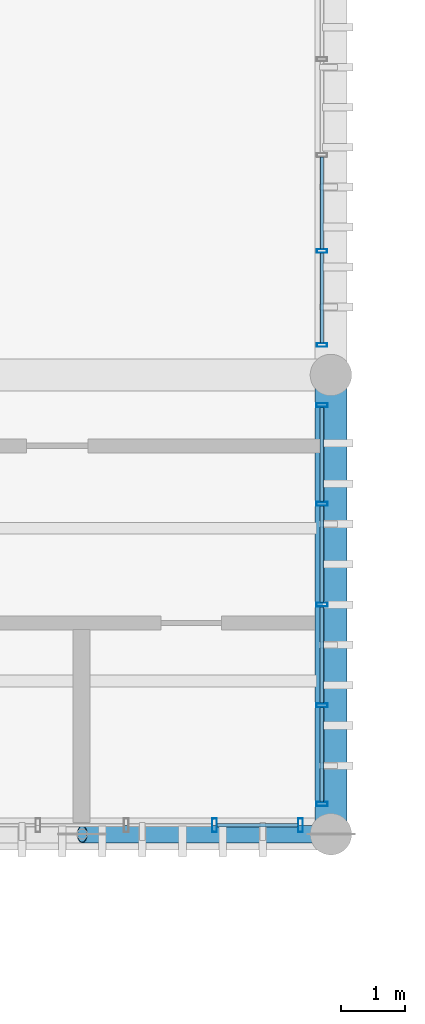
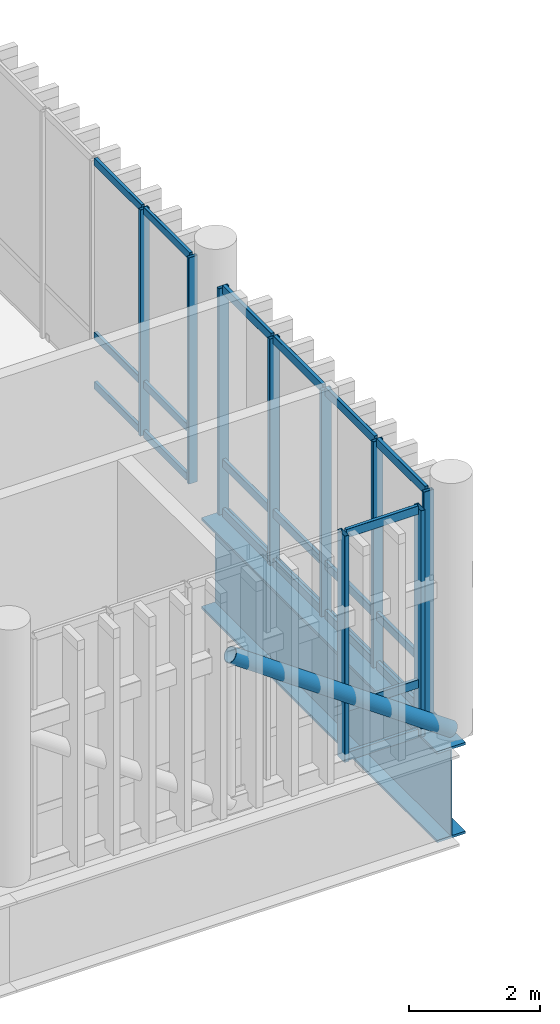
# One storey, part 42 of 86: 31 members, 1 beam, 3 elements without a shape of their own.
"""IFC4 building model written with IfcOpenShell, lengths in metres."""

from ifc_helpers import new_model, si_unit, direction, frame, origin_with_axes, origin_2d_with_axis, place, context, subcontext, project, spatial, hollow_rectangle, hollow_circle, i_section, extrude, material, material_profile, profile_set, type_object, element, aggregate, save


model = new_model("IFC4")

# Units and contexts
model_context = context("Model", 3, precision=1e-05, world=origin_with_axes(), true_north=direction((0.0, 1.0)))
body_context = subcontext(model_context, "Body", "Model", "MODEL_VIEW")
ifc_project = project(units=[si_unit("LENGTHUNIT", "METRE"), si_unit("AREAUNIT", "SQUARE_METRE"), si_unit("VOLUMEUNIT", "CUBIC_METRE"), si_unit("PLANEANGLEUNIT", "RADIAN"), si_unit("MASSUNIT", "GRAM", prefix="KILO"), si_unit("THERMODYNAMICTEMPERATUREUNIT", "KELVIN")], contexts=[model_context])

# Site, building, storey
site_placement = place(None, origin_with_axes())
site = spatial("IfcSite", under=ifc_project, at=site_placement, CompositionType="ELEMENT")
building_placement = place(site_placement, origin_with_axes())
building = spatial("IfcBuilding", under=site, at=building_placement, Name="Montbau Bow Law Courts", CompositionType="ELEMENT")
storey_placement = place(building_placement, frame((0.0, 0.0, 29.7), z_axis=(0.0, 0.0, 1.0), x_axis=(1.0, 0.0, 0.0)))
storey = spatial("IfcBuildingStorey", under=building, at=storey_placement, Name="L06", CompositionType="ELEMENT", Elevation=29.7)

# Beam
ifc_material_1 = material(Name="Steel CSA G40.21 Grade 350WT (350 MPa)", Category="steel")
ifc_material_profile_1 = material_profile(ifc_material_1, i_section(OverallWidth=0.5, OverallDepth=1.7, WebThickness=0.02, FlangeThickness=0.045, at=origin_2d_with_axis()), Name="WWF1700X480", Category="Main", Priority=0)
ifc_profile_set_1 = profile_set([ifc_material_profile_1], Name="Steel CSA G40.21 Grade 350WT (350 MPa)")
beam_type = type_object("IfcBeamType", Name="B-TRG-02", PredefinedType="USERDEFINED", material=ifc_profile_set_1)
beam_placement = place(None, frame((105.0, 39.0, 28.51), z_axis=(0.0, 1.0, 0.0), x_axis=(-1.0, 0.0, 0.0)))
element("IfcBeam", 1, at=beam_placement, inside=storey, type_object=beam_type, Name="TRG-L06-S0067:bm2_0070", ObjectType="GIRDER", PredefinedType="USERDEFINED", context=body_context, shape_type="SweptSolid", body=[
    extrude(i_section(OverallWidth=0.5, OverallDepth=1.7, WebThickness=0.02, FlangeThickness=0.045, at=origin_2d_with_axis()), origin_with_axes(), (0.0, 0.0, 1.0), 7.2),
])

# Member
ifc_material_2 = material(Name="Steel CSA G40.21 Grade 350W (350 MPa)", Category="steel")
ifc_material_profile_2 = material_profile(ifc_material_2, hollow_circle(Radius=0.1365, WallThickness=0.0127, at=origin_2d_with_axis()), Name="HSS273X13", Category="Main", Priority=0)
ifc_profile_set_2 = profile_set([ifc_material_profile_2], Name="Steel CSA G40.21 Grade 350W (350 MPa)")
member_type_1 = type_object("IfcMemberType", Name="M-BRC-03", PredefinedType="BRACE", material=ifc_profile_set_2)
member_1_placement = place(None, frame((101.1, 39.0, 32.45), z_axis=(0.817258134, 0.0, -0.576271761), x_axis=(0.0, 1.0, 0.0)))
element("IfcMember", 2, at=member_1_placement, inside=storey, type_object=member_type_1, Name="Diagonal brace BRC-L06-014", PredefinedType="BRACE", context=body_context, shape_type="SweptSolid", body=[
    extrude(hollow_circle(Radius=0.1365, WallThickness=0.0127, at=origin_2d_with_axis()), origin_with_axes(), (0.0, 0.0, 1.0), 4.772054),
])

# Curtain wall, members
ifc_material_3 = material(Name="Thermally Broken Extruded Aluminium AA 6063-T6", Category="aluminium")
curtain_wall_type = type_object("IfcCurtainWallType", Name="CW-CRM-02", PredefinedType="NOTDEFINED", material=ifc_material_3)
curtain_wall_1_placement = place(None, frame((97.64, 39.14, 29.7), z_axis=(0.0, 0.0, 1.0), x_axis=(1.0, 0.0, 0.0)))
curtain_wall_1 = element("IfcCurtainWall", 3, at=curtain_wall_1_placement, inside=storey, type_object=curtain_wall_type, Name="CW-L06-228:cw_0228", PredefinedType="NOTDEFINED")
ifc_material_profile_3 = material_profile(ifc_material_3, hollow_rectangle(XDim=0.075, YDim=0.22, WallThickness=0.005, InnerFilletRadius=0.01, OuterFilletRadius=0.005, at=origin_2d_with_axis()), Name="CWM-220X75", Category="Main", Priority=0)
ifc_profile_set_3 = profile_set([ifc_material_profile_3], Name="Thermally Broken Extruded Aluminium AA 6063-T6")
member_type_2 = type_object("IfcMemberType", Name="M-MUL-01", PredefinedType="MULLION", material=ifc_profile_set_3)
member_2_placement = place(None, frame((103.176, 39.14, 29.7), z_axis=(0.0, 0.0, 1.0), x_axis=(1.0, 0.0, 0.0)))
member_2 = element("IfcMember", 4, at=member_2_placement, type_object=member_type_2, Name="CW-L06-228-M05:cw_0228_M05", PredefinedType="MULLION", context=body_context, shape_type="SweptSolid", body=[
    extrude(hollow_rectangle(XDim=0.075, YDim=0.22, WallThickness=0.005, InnerFilletRadius=0.01, OuterFilletRadius=0.005, at=origin_2d_with_axis()), origin_with_axes(), (0.0, 0.0, 1.0), 4.22),
])
member_3_placement = place(None, frame((104.523, 39.14, 29.7), z_axis=(0.0, 0.0, 1.0), x_axis=(1.0, 0.0, 0.0)))
member_3 = element("IfcMember", 5, at=member_3_placement, type_object=member_type_2, Name="CW-L06-228-M06:cw_0228_M06", PredefinedType="MULLION", context=body_context, shape_type="SweptSolid", body=[
    extrude(hollow_rectangle(XDim=0.075, YDim=0.22, WallThickness=0.005, InnerFilletRadius=0.01, OuterFilletRadius=0.005, at=origin_2d_with_axis()), origin_with_axes(), (0.0, 0.0, 1.0), 4.22),
])

curtain_wall_2_placement = place(None, frame((104.86, 39.44, 29.7), z_axis=(0.0, 0.0, 1.0), x_axis=(1.0, 0.0, 0.0)))
curtain_wall_2 = element("IfcCurtainWall", 6, at=curtain_wall_2_placement, inside=storey, type_object=curtain_wall_type, Name="CW-L06-238:cw_0238", PredefinedType="NOTDEFINED")
ifc_material_profile_4 = material_profile(ifc_material_3, hollow_rectangle(XDim=0.065, YDim=0.18, WallThickness=0.005, InnerFilletRadius=0.01, OuterFilletRadius=0.005, at=origin_2d_with_axis()), Name="CWM-180X65", Category="Main", Priority=0)
ifc_profile_set_4 = profile_set([ifc_material_profile_4], Name="Thermally Broken Extruded Aluminium AA 6063-T6")
member_type_3 = type_object("IfcMemberType", Name="M-MUL-02", PredefinedType="MULLION", material=ifc_profile_set_4)
member_4_placement = place(None, frame((104.86, 39.473, 29.7), z_axis=(0.0, 0.0, 1.0), x_axis=(0.0, 1.0, 0.0)))
member_4 = element("IfcMember", 7, at=member_4_placement, type_object=member_type_3, Name="CW-L06-238-M01:cw_0238_M01", PredefinedType="MULLION", context=body_context, shape_type="SweptSolid", body=[
    extrude(hollow_rectangle(XDim=0.065, YDim=0.18, WallThickness=0.005, InnerFilletRadius=0.01, OuterFilletRadius=0.005, at=origin_2d_with_axis()), origin_with_axes(), (0.0, 0.0, 1.0), 4.22),
])
member_5_placement = place(None, frame((104.86, 41.02, 29.7), z_axis=(0.0, 0.0, 1.0), x_axis=(0.0, 1.0, 0.0)))
member_5 = element("IfcMember", 8, at=member_5_placement, type_object=member_type_3, Name="CW-L06-238-M02:cw_0238_M02", PredefinedType="MULLION", context=body_context, shape_type="SweptSolid", body=[
    extrude(hollow_rectangle(XDim=0.065, YDim=0.18, WallThickness=0.005, InnerFilletRadius=0.01, OuterFilletRadius=0.005, at=origin_2d_with_axis()), origin_with_axes(), (0.0, 0.0, 1.0), 4.22),
])
member_6_placement = place(None, frame((104.86, 42.6, 29.7), z_axis=(0.0, 0.0, 1.0), x_axis=(0.0, 1.0, 0.0)))
member_6 = element("IfcMember", 9, at=member_6_placement, type_object=member_type_3, Name="CW-L06-238-M03:cw_0238_M03", PredefinedType="MULLION", context=body_context, shape_type="SweptSolid", body=[
    extrude(hollow_rectangle(XDim=0.065, YDim=0.18, WallThickness=0.005, InnerFilletRadius=0.01, OuterFilletRadius=0.005, at=origin_2d_with_axis()), origin_with_axes(), (0.0, 0.0, 1.0), 4.22),
])
member_7_placement = place(None, frame((104.86, 44.18, 29.7), z_axis=(0.0, 0.0, 1.0), x_axis=(0.0, 1.0, 0.0)))
member_7 = element("IfcMember", 10, at=member_7_placement, type_object=member_type_3, Name="CW-L06-238-M04:cw_0238_M04", PredefinedType="MULLION", context=body_context, shape_type="SweptSolid", body=[
    extrude(hollow_rectangle(XDim=0.065, YDim=0.18, WallThickness=0.005, InnerFilletRadius=0.01, OuterFilletRadius=0.005, at=origin_2d_with_axis()), origin_with_axes(), (0.0, 0.0, 1.0), 4.22),
])
member_8_placement = place(None, frame((104.86, 45.728, 29.7), z_axis=(0.0, 0.0, 1.0), x_axis=(0.0, 1.0, 0.0)))
member_8 = element("IfcMember", 11, at=member_8_placement, type_object=member_type_3, Name="CW-L06-238-M05:cw_0238_M05", PredefinedType="MULLION", context=body_context, shape_type="SweptSolid", body=[
    extrude(hollow_rectangle(XDim=0.065, YDim=0.18, WallThickness=0.005, InnerFilletRadius=0.01, OuterFilletRadius=0.005, at=origin_2d_with_axis()), origin_with_axes(), (0.0, 0.0, 1.0), 4.22),
])

curtain_wall_3_placement = place(None, frame((104.86, 46.64, 29.7), z_axis=(0.0, 0.0, 1.0), x_axis=(1.0, 0.0, 0.0)))
curtain_wall_3 = element("IfcCurtainWall", 12, at=curtain_wall_3_placement, inside=storey, type_object=curtain_wall_type, Name="CW-L06-239:cw_0239", PredefinedType="NOTDEFINED")
ifc_material_profile_5 = material_profile(ifc_material_3, hollow_rectangle(XDim=0.06, YDim=0.16, WallThickness=0.004, InnerFilletRadius=0.008, OuterFilletRadius=0.004, at=origin_2d_with_axis()), Name="CWM-160X60", Category="Main", Priority=0)
ifc_profile_set_5 = profile_set([ifc_material_profile_5], Name="Thermally Broken Extruded Aluminium AA 6063-T6")
member_type_4 = type_object("IfcMemberType", Name="M-MUL-03", PredefinedType="MULLION", material=ifc_profile_set_5)
member_9_placement = place(None, frame((104.86, 46.67, 29.7), z_axis=(0.0, 0.0, 1.0), x_axis=(0.0, 1.0, 0.0)))
member_9 = element("IfcMember", 13, at=member_9_placement, type_object=member_type_4, Name="CW-L06-239-M01:cw_0239_M01", PredefinedType="MULLION", context=body_context, shape_type="SweptSolid", body=[
    extrude(hollow_rectangle(XDim=0.06, YDim=0.16, WallThickness=0.004, InnerFilletRadius=0.008, OuterFilletRadius=0.004, at=origin_2d_with_axis()), origin_with_axes(), (0.0, 0.0, 1.0), 4.22),
])
member_10_placement = place(None, frame((104.86, 48.144, 29.7), z_axis=(0.0, 0.0, 1.0), x_axis=(0.0, 1.0, 0.0)))
member_10 = element("IfcMember", 14, at=member_10_placement, type_object=member_type_4, Name="CW-L06-239-M02:cw_0239_M02", PredefinedType="MULLION", context=body_context, shape_type="SweptSolid", body=[
    extrude(hollow_rectangle(XDim=0.06, YDim=0.16, WallThickness=0.004, InnerFilletRadius=0.008, OuterFilletRadius=0.004, at=origin_2d_with_axis()), origin_with_axes(), (0.0, 0.0, 1.0), 4.22),
])

# Member
ifc_material_profile_6 = material_profile(ifc_material_3, hollow_rectangle(XDim=0.06, YDim=0.16, WallThickness=0.004, InnerFilletRadius=0.008, OuterFilletRadius=0.004, at=origin_2d_with_axis()), Name="CWT-160X60", Category="Main", Priority=0)
ifc_profile_set_6 = profile_set([ifc_material_profile_6], Name="Thermally Broken Extruded Aluminium AA 6063-T6")
member_type_5 = type_object("IfcMemberType", Name="M-TRN-01", PredefinedType="USERDEFINED", material=ifc_profile_set_6)
member_11_placement = place(None, frame((103.215, 39.14, 29.73), z_axis=(1.0, 0.0, 0.0), x_axis=(0.0, 1.0, 0.0)))
member_11 = element("IfcMember", 15, at=member_11_placement, type_object=member_type_5, Name="CW-L06-228-T05-1:cw_0228_T05_1", ObjectType="TRANSOM", PredefinedType="USERDEFINED", context=body_context, shape_type="SweptSolid", body=[
    extrude(hollow_rectangle(XDim=0.06, YDim=0.16, WallThickness=0.004, InnerFilletRadius=0.008, OuterFilletRadius=0.004, at=origin_2d_with_axis()), origin_with_axes(), (0.0, 0.0, 1.0), 1.269),
])

member_12_placement = place(None, frame((103.215, 39.14, 30.65), z_axis=(1.0, 0.0, 0.0), x_axis=(0.0, 1.0, 0.0)))
member_12 = element("IfcMember", 16, at=member_12_placement, type_object=member_type_5, Name="CW-L06-228-T05-2:cw_0228_T05_2", ObjectType="TRANSOM", PredefinedType="USERDEFINED", context=body_context, shape_type="SweptSolid", body=[
    extrude(hollow_rectangle(XDim=0.06, YDim=0.16, WallThickness=0.004, InnerFilletRadius=0.008, OuterFilletRadius=0.004, at=origin_2d_with_axis()), origin_with_axes(), (0.0, 0.0, 1.0), 1.269),
])

member_13_placement = place(None, frame((103.215, 39.14, 33.89), z_axis=(1.0, 0.0, 0.0), x_axis=(0.0, 1.0, 0.0)))
member_13 = element("IfcMember", 17, at=member_13_placement, type_object=member_type_5, Name="CW-L06-228-T05-3:cw_0228_T05_3", ObjectType="TRANSOM", PredefinedType="USERDEFINED", context=body_context, shape_type="SweptSolid", body=[
    extrude(hollow_rectangle(XDim=0.06, YDim=0.16, WallThickness=0.004, InnerFilletRadius=0.008, OuterFilletRadius=0.004, at=origin_2d_with_axis()), origin_with_axes(), (0.0, 0.0, 1.0), 1.269),
])

aggregate(curtain_wall_1, [member_2, member_3, member_11, member_12, member_13])

member_14_placement = place(None, frame((104.86, 39.508, 29.73), z_axis=(0.0, 1.0, 0.0), x_axis=(-1.0, 0.0, 0.0)))
member_14 = element("IfcMember", 18, at=member_14_placement, type_object=member_type_5, Name="CW-L06-238-T01-1:cw_0238_T01_1", ObjectType="TRANSOM", PredefinedType="USERDEFINED", context=body_context, shape_type="SweptSolid", body=[
    extrude(hollow_rectangle(XDim=0.06, YDim=0.16, WallThickness=0.004, InnerFilletRadius=0.008, OuterFilletRadius=0.004, at=origin_2d_with_axis()), origin_with_axes(), (0.0, 0.0, 1.0), 1.478),
])

member_15_placement = place(None, frame((104.86, 39.508, 30.65), z_axis=(0.0, 1.0, 0.0), x_axis=(-1.0, 0.0, 0.0)))
member_15 = element("IfcMember", 19, at=member_15_placement, type_object=member_type_5, Name="CW-L06-238-T01-2:cw_0238_T01_2", ObjectType="TRANSOM", PredefinedType="USERDEFINED", context=body_context, shape_type="SweptSolid", body=[
    extrude(hollow_rectangle(XDim=0.06, YDim=0.16, WallThickness=0.004, InnerFilletRadius=0.008, OuterFilletRadius=0.004, at=origin_2d_with_axis()), origin_with_axes(), (0.0, 0.0, 1.0), 1.478),
])

member_16_placement = place(None, frame((104.86, 39.508, 33.89), z_axis=(0.0, 1.0, 0.0), x_axis=(-1.0, 0.0, 0.0)))
member_16 = element("IfcMember", 20, at=member_16_placement, type_object=member_type_5, Name="CW-L06-238-T01-3:cw_0238_T01_3", ObjectType="TRANSOM", PredefinedType="USERDEFINED", context=body_context, shape_type="SweptSolid", body=[
    extrude(hollow_rectangle(XDim=0.06, YDim=0.16, WallThickness=0.004, InnerFilletRadius=0.008, OuterFilletRadius=0.004, at=origin_2d_with_axis()), origin_with_axes(), (0.0, 0.0, 1.0), 1.478),
])

member_17_placement = place(None, frame((104.86, 41.055, 29.73), z_axis=(0.0, 1.0, 0.0), x_axis=(-1.0, 0.0, 0.0)))
member_17 = element("IfcMember", 21, at=member_17_placement, type_object=member_type_5, Name="CW-L06-238-T02-1:cw_0238_T02_1", ObjectType="TRANSOM", PredefinedType="USERDEFINED", context=body_context, shape_type="SweptSolid", body=[
    extrude(hollow_rectangle(XDim=0.06, YDim=0.16, WallThickness=0.004, InnerFilletRadius=0.008, OuterFilletRadius=0.004, at=origin_2d_with_axis()), origin_with_axes(), (0.0, 0.0, 1.0), 1.511),
])

member_18_placement = place(None, frame((104.86, 41.055, 30.65), z_axis=(0.0, 1.0, 0.0), x_axis=(-1.0, 0.0, 0.0)))
member_18 = element("IfcMember", 22, at=member_18_placement, type_object=member_type_5, Name="CW-L06-238-T02-2:cw_0238_T02_2", ObjectType="TRANSOM", PredefinedType="USERDEFINED", context=body_context, shape_type="SweptSolid", body=[
    extrude(hollow_rectangle(XDim=0.06, YDim=0.16, WallThickness=0.004, InnerFilletRadius=0.008, OuterFilletRadius=0.004, at=origin_2d_with_axis()), origin_with_axes(), (0.0, 0.0, 1.0), 1.511),
])

member_19_placement = place(None, frame((104.86, 41.055, 33.89), z_axis=(0.0, 1.0, 0.0), x_axis=(-1.0, 0.0, 0.0)))
member_19 = element("IfcMember", 23, at=member_19_placement, type_object=member_type_5, Name="CW-L06-238-T02-3:cw_0238_T02_3", ObjectType="TRANSOM", PredefinedType="USERDEFINED", context=body_context, shape_type="SweptSolid", body=[
    extrude(hollow_rectangle(XDim=0.06, YDim=0.16, WallThickness=0.004, InnerFilletRadius=0.008, OuterFilletRadius=0.004, at=origin_2d_with_axis()), origin_with_axes(), (0.0, 0.0, 1.0), 1.511),
])

member_20_placement = place(None, frame((104.86, 42.635, 29.73), z_axis=(0.0, 1.0, 0.0), x_axis=(-1.0, 0.0, 0.0)))
member_20 = element("IfcMember", 24, at=member_20_placement, type_object=member_type_5, Name="CW-L06-238-T03-1:cw_0238_T03_1", ObjectType="TRANSOM", PredefinedType="USERDEFINED", context=body_context, shape_type="SweptSolid", body=[
    extrude(hollow_rectangle(XDim=0.06, YDim=0.16, WallThickness=0.004, InnerFilletRadius=0.008, OuterFilletRadius=0.004, at=origin_2d_with_axis()), origin_with_axes(), (0.0, 0.0, 1.0), 1.511),
])

member_21_placement = place(None, frame((104.86, 42.635, 30.65), z_axis=(0.0, 1.0, 0.0), x_axis=(-1.0, 0.0, 0.0)))
member_21 = element("IfcMember", 25, at=member_21_placement, type_object=member_type_5, Name="CW-L06-238-T03-2:cw_0238_T03_2", ObjectType="TRANSOM", PredefinedType="USERDEFINED", context=body_context, shape_type="SweptSolid", body=[
    extrude(hollow_rectangle(XDim=0.06, YDim=0.16, WallThickness=0.004, InnerFilletRadius=0.008, OuterFilletRadius=0.004, at=origin_2d_with_axis()), origin_with_axes(), (0.0, 0.0, 1.0), 1.511),
])

member_22_placement = place(None, frame((104.86, 42.635, 33.89), z_axis=(0.0, 1.0, 0.0), x_axis=(-1.0, 0.0, 0.0)))
member_22 = element("IfcMember", 26, at=member_22_placement, type_object=member_type_5, Name="CW-L06-238-T03-3:cw_0238_T03_3", ObjectType="TRANSOM", PredefinedType="USERDEFINED", context=body_context, shape_type="SweptSolid", body=[
    extrude(hollow_rectangle(XDim=0.06, YDim=0.16, WallThickness=0.004, InnerFilletRadius=0.008, OuterFilletRadius=0.004, at=origin_2d_with_axis()), origin_with_axes(), (0.0, 0.0, 1.0), 1.511),
])

member_23_placement = place(None, frame((104.86, 44.214, 29.73), z_axis=(0.0, 1.0, 0.0), x_axis=(-1.0, 0.0, 0.0)))
member_23 = element("IfcMember", 27, at=member_23_placement, type_object=member_type_5, Name="CW-L06-238-T04-1:cw_0238_T04_1", ObjectType="TRANSOM", PredefinedType="USERDEFINED", context=body_context, shape_type="SweptSolid", body=[
    extrude(hollow_rectangle(XDim=0.06, YDim=0.16, WallThickness=0.004, InnerFilletRadius=0.008, OuterFilletRadius=0.004, at=origin_2d_with_axis()), origin_with_axes(), (0.0, 0.0, 1.0), 1.48),
])

member_24_placement = place(None, frame((104.86, 44.214, 30.65), z_axis=(0.0, 1.0, 0.0), x_axis=(-1.0, 0.0, 0.0)))
member_24 = element("IfcMember", 28, at=member_24_placement, type_object=member_type_5, Name="CW-L06-238-T04-2:cw_0238_T04_2", ObjectType="TRANSOM", PredefinedType="USERDEFINED", context=body_context, shape_type="SweptSolid", body=[
    extrude(hollow_rectangle(XDim=0.06, YDim=0.16, WallThickness=0.004, InnerFilletRadius=0.008, OuterFilletRadius=0.004, at=origin_2d_with_axis()), origin_with_axes(), (0.0, 0.0, 1.0), 1.48),
])

member_25_placement = place(None, frame((104.86, 44.214, 33.89), z_axis=(0.0, 1.0, 0.0), x_axis=(-1.0, 0.0, 0.0)))
member_25 = element("IfcMember", 29, at=member_25_placement, type_object=member_type_5, Name="CW-L06-238-T04-3:cw_0238_T04_3", ObjectType="TRANSOM", PredefinedType="USERDEFINED", context=body_context, shape_type="SweptSolid", body=[
    extrude(hollow_rectangle(XDim=0.06, YDim=0.16, WallThickness=0.004, InnerFilletRadius=0.008, OuterFilletRadius=0.004, at=origin_2d_with_axis()), origin_with_axes(), (0.0, 0.0, 1.0), 1.48),
])

aggregate(curtain_wall_2, [member_4, member_5, member_6, member_7, member_8, member_14, member_15, member_16, member_17, member_18, member_19, member_20, member_21, member_22, member_23, member_24, member_25])

ifc_material_profile_7 = material_profile(ifc_material_3, hollow_rectangle(XDim=0.055, YDim=0.14, WallThickness=0.004, InnerFilletRadius=0.008, OuterFilletRadius=0.004, at=origin_2d_with_axis()), Name="CWT-140X55", Category="Main", Priority=0)
ifc_profile_set_7 = profile_set([ifc_material_profile_7], Name="Thermally Broken Extruded Aluminium AA 6063-T6")
member_type_6 = type_object("IfcMemberType", Name="M-TRN-02", PredefinedType="USERDEFINED", material=ifc_profile_set_7)
member_26_placement = place(None, frame((104.86, 46.702, 29.727), z_axis=(0.0, 1.0, 0.0), x_axis=(-1.0, 0.0, 0.0)))
member_26 = element("IfcMember", 30, at=member_26_placement, type_object=member_type_6, Name="CW-L06-239-T01-1:cw_0239_T01_1", ObjectType="TRANSOM", PredefinedType="USERDEFINED", context=body_context, shape_type="SweptSolid", body=[
    extrude(hollow_rectangle(XDim=0.055, YDim=0.14, WallThickness=0.004, InnerFilletRadius=0.008, OuterFilletRadius=0.004, at=origin_2d_with_axis()), origin_with_axes(), (0.0, 0.0, 1.0), 1.41),
])

member_27_placement = place(None, frame((104.86, 46.702, 30.65), z_axis=(0.0, 1.0, 0.0), x_axis=(-1.0, 0.0, 0.0)))
member_27 = element("IfcMember", 31, at=member_27_placement, type_object=member_type_6, Name="CW-L06-239-T01-2:cw_0239_T01_2", ObjectType="TRANSOM", PredefinedType="USERDEFINED", context=body_context, shape_type="SweptSolid", body=[
    extrude(hollow_rectangle(XDim=0.055, YDim=0.14, WallThickness=0.004, InnerFilletRadius=0.008, OuterFilletRadius=0.004, at=origin_2d_with_axis()), origin_with_axes(), (0.0, 0.0, 1.0), 1.41),
])

member_28_placement = place(None, frame((104.86, 46.702, 33.892), z_axis=(0.0, 1.0, 0.0), x_axis=(-1.0, 0.0, 0.0)))
member_28 = element("IfcMember", 32, at=member_28_placement, type_object=member_type_6, Name="CW-L06-239-T01-3:cw_0239_T01_3", ObjectType="TRANSOM", PredefinedType="USERDEFINED", context=body_context, shape_type="SweptSolid", body=[
    extrude(hollow_rectangle(XDim=0.055, YDim=0.14, WallThickness=0.004, InnerFilletRadius=0.008, OuterFilletRadius=0.004, at=origin_2d_with_axis()), origin_with_axes(), (0.0, 0.0, 1.0), 1.41),
])

member_29_placement = place(None, frame((104.86, 48.176, 29.727), z_axis=(0.0, 1.0, 0.0), x_axis=(-1.0, 0.0, 0.0)))
member_29 = element("IfcMember", 33, at=member_29_placement, type_object=member_type_6, Name="CW-L06-239-T02-1:cw_0239_T02_1", ObjectType="TRANSOM", PredefinedType="USERDEFINED", context=body_context, shape_type="SweptSolid", body=[
    extrude(hollow_rectangle(XDim=0.055, YDim=0.14, WallThickness=0.004, InnerFilletRadius=0.008, OuterFilletRadius=0.004, at=origin_2d_with_axis()), origin_with_axes(), (0.0, 0.0, 1.0), 1.44),
])

member_30_placement = place(None, frame((104.86, 48.176, 30.65), z_axis=(0.0, 1.0, 0.0), x_axis=(-1.0, 0.0, 0.0)))
member_30 = element("IfcMember", 34, at=member_30_placement, type_object=member_type_6, Name="CW-L06-239-T02-2:cw_0239_T02_2", ObjectType="TRANSOM", PredefinedType="USERDEFINED", context=body_context, shape_type="SweptSolid", body=[
    extrude(hollow_rectangle(XDim=0.055, YDim=0.14, WallThickness=0.004, InnerFilletRadius=0.008, OuterFilletRadius=0.004, at=origin_2d_with_axis()), origin_with_axes(), (0.0, 0.0, 1.0), 1.44),
])

member_31_placement = place(None, frame((104.86, 48.176, 33.892), z_axis=(0.0, 1.0, 0.0), x_axis=(-1.0, 0.0, 0.0)))
member_31 = element("IfcMember", 35, at=member_31_placement, type_object=member_type_6, Name="CW-L06-239-T02-3:cw_0239_T02_3", ObjectType="TRANSOM", PredefinedType="USERDEFINED", context=body_context, shape_type="SweptSolid", body=[
    extrude(hollow_rectangle(XDim=0.055, YDim=0.14, WallThickness=0.004, InnerFilletRadius=0.008, OuterFilletRadius=0.004, at=origin_2d_with_axis()), origin_with_axes(), (0.0, 0.0, 1.0), 1.44),
])

aggregate(curtain_wall_3, [member_9, member_10, member_26, member_27, member_28, member_29, member_30, member_31])

save(model, "model.ifc")
